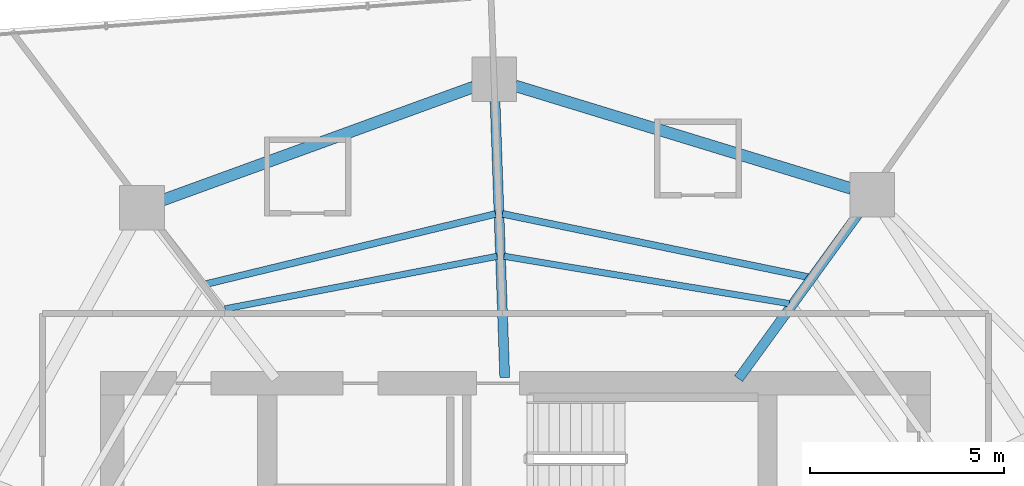
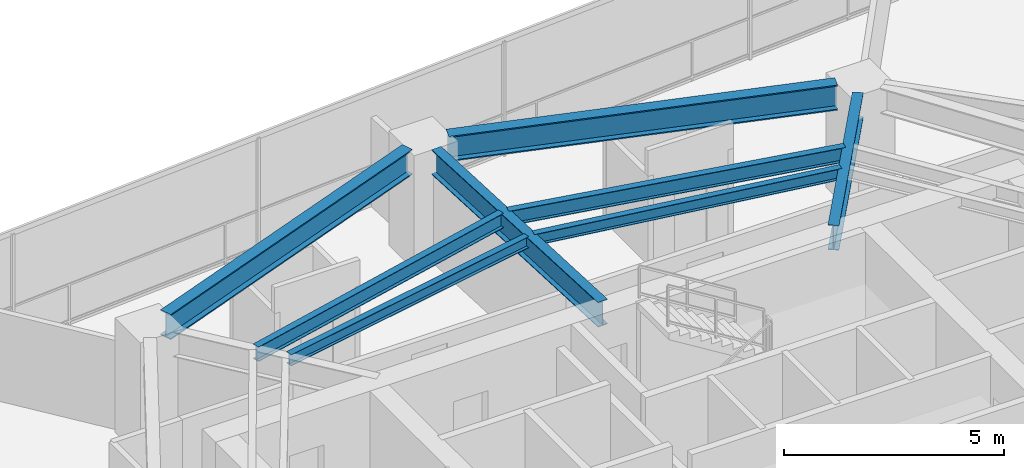
# One storey, part 18 of 30: 8 beams.
"""IFC4 building model written with IfcOpenShell, lengths in metres."""

from ifc_helpers import new_model, si_unit, direction, frame, origin, origin_2d, place, context, subcontext, project, spatial, i_section, extrude, material, material_profile, profile_set, type_object, element, save


model = new_model("IFC4")

# Units and contexts
model_context = context("Model", 3, precision=1e-05, world=origin(), true_north=direction((0.0, 1.0)))
body_context = subcontext(model_context, "Body", "Model", "MODEL_VIEW")
ifc_project = project(units=[si_unit("LENGTHUNIT", "METRE"), si_unit("AREAUNIT", "SQUARE_METRE"), si_unit("VOLUMEUNIT", "CUBIC_METRE"), si_unit("PLANEANGLEUNIT", "RADIAN"), si_unit("MASSUNIT", "GRAM", prefix="KILO")], contexts=[model_context])

# Site, building, storey
site_placement = place(None, origin())
site = spatial("IfcSite", under=ifc_project, at=site_placement, CompositionType="ELEMENT")
building_placement = place(site_placement, origin())
building = spatial("IfcBuilding", under=site, at=building_placement, Name="Qarnah Convention Tower", CompositionType="ELEMENT")
storey_placement = place(building_placement, frame((0.0, 0.0, 83.25)))
storey = spatial("IfcBuildingStorey", under=building, at=storey_placement, Name="L21", CompositionType="ELEMENT", Elevation=83.25)

# Beams
ifc_material = material(Name="Structural steel S355JR", Category="steel")
ifc_material_profile_1 = material_profile(ifc_material, i_section(OverallWidth=0.166015625, OverallDepth=0.31201171875, WebThickness=0.007080078125, FlangeThickness=0.010986328125, at=origin_2d()), Name="W310X45")
ifc_profile_set_1 = profile_set([ifc_material_profile_1], Name="Structural steel S355JR")
beam_type_1 = type_object("IfcBeamType", Name="BM-JST-W310", PredefinedType="JOIST", material=ifc_profile_set_1)
beam_1_placement = place(storey_placement, frame((44.260986328125, 36.257080078125, 3.013916015625), z_axis=(-0.986513960493, 0.163677138757, 0.0), x_axis=(-0.163677138757, -0.986513960493, 0.0)))
element("IfcBeam", 1, at=beam_1_placement, inside=storey, type_object=beam_type_1, Name="L21 joist BM-L21-IJST-02", PredefinedType="JOIST", context=body_context, shape_type="SweptSolid", body=[
    extrude(i_section(OverallWidth=0.166015625, OverallDepth=0.31201171875, WebThickness=0.007080078125, FlangeThickness=0.010986328125, at=origin_2d()), origin(), (0.0, 0.0, 1.0), 7.45947265625),
])
beam_2_placement = place(storey_placement, frame((36.72509765625, 37.47607421875, 3.013916015625), z_axis=(-0.981841874694, -0.189701167886, 0.0), x_axis=(0.189701167886, -0.981841874694, 0.0)))
element("IfcBeam", 2, at=beam_2_placement, inside=storey, type_object=beam_type_1, Name="L21 joist BM-L21-IJST-03", PredefinedType="JOIST", context=body_context, shape_type="SweptSolid", body=[
    extrude(i_section(OverallWidth=0.166015625, OverallDepth=0.31201171875, WebThickness=0.007080078125, FlangeThickness=0.010986328125, at=origin_2d()), origin(), (0.0, 0.0, 1.0), 7.14794921875),
])
ifc_material_profile_2 = material_profile(ifc_material, i_section(OverallWidth=0.177978515625, OverallDepth=0.407958984375, WebThickness=0.008056640625, FlangeThickness=0.012939453125, at=origin_2d()), Name="W410X60")
ifc_profile_set_2 = profile_set([ifc_material_profile_2], Name="Structural steel S355JR")
beam_type_2 = type_object("IfcBeamType", Name="BM-JST-W410", PredefinedType="JOIST", material=ifc_profile_set_2)
beam_3_placement = place(storey_placement, frame((44.757080078125, 36.93994140625, 2.966064453125), z_axis=(-0.979289211304, 0.202466393814, 0.0), x_axis=(-0.202466393814, -0.979289211304, 0.0)))
element("IfcBeam", 3, at=beam_3_placement, inside=storey, type_object=beam_type_2, Name="L21 joist BM-L21-SJST-02", PredefinedType="JOIST", context=body_context, shape_type="SweptSolid", body=[
    extrude(i_section(OverallWidth=0.177978515625, OverallDepth=0.407958984375, WebThickness=0.008056640625, FlangeThickness=0.012939453125, at=origin_2d()), origin(), (0.0, 0.0, 1.0), 8.06103515625),
])
beam_4_placement = place(storey_placement, frame((36.68798828125, 38.569091796875, 2.966064453125), z_axis=(-0.971933267781, -0.235256717183, 0.0), x_axis=(0.235256717183, -0.971933267781, 0.0)))
element("IfcBeam", 4, at=beam_4_placement, inside=storey, type_object=beam_type_2, Name="L21 joist BM-L21-SJST-03", PredefinedType="JOIST", context=body_context, shape_type="SweptSolid", body=[
    extrude(i_section(OverallWidth=0.177978515625, OverallDepth=0.407958984375, WebThickness=0.008056640625, FlangeThickness=0.012939453125, at=origin_2d()), origin(), (0.0, 0.0, 1.0), 7.694091796875),
])
ifc_material_profile_3 = material_profile(ifc_material, i_section(OverallWidth=0.25390625, OverallDepth=0.68798828125, WebThickness=0.012939453125, FlangeThickness=0.02099609375, at=origin_2d()), Name="W690X152")
ifc_profile_set_3 = profile_set([ifc_material_profile_3], Name="Structural steel S355JR")
beam_type_3 = type_object("IfcBeamType", Name="BM-RAD-W690", PredefinedType="BEAM", material=ifc_profile_set_3)
beam_5_placement = place(storey_placement, frame((42.955078125, 34.321044921875, 2.825927734375), z_axis=(0.587824069471, 0.808988790621, 0.0), x_axis=(-0.808988790621, 0.587824069471, 0.0)))
element("IfcBeam", 5, at=beam_5_placement, inside=storey, type_object=beam_type_3, Name="L21 beam BM-L21-RAD-02", PredefinedType="BEAM", context=body_context, shape_type="SweptSolid", body=[
    extrude(i_section(OverallWidth=0.25390625, OverallDepth=0.68798828125, WebThickness=0.012939453125, FlangeThickness=0.02099609375, at=origin_2d()), origin(), (0.0, 0.0, 1.0), 5.30419921875),
])
beam_6_placement = place(storey_placement, frame((36.923095703125, 34.35009765625, 2.825927734375), z_axis=(-0.035017005912, 0.99938671659, 0.0), x_axis=(-0.99938671659, -0.035017005912, 0.0)))
element("IfcBeam", 6, at=beam_6_placement, inside=storey, type_object=beam_type_3, Name="L21 beam BM-L21-RAD-03", PredefinedType="BEAM", context=body_context, shape_type="SweptSolid", body=[
    extrude(i_section(OverallWidth=0.25390625, OverallDepth=0.68798828125, WebThickness=0.012939453125, FlangeThickness=0.02099609375, at=origin_2d()), origin(), (0.0, 0.0, 1.0), 7.139404296875),
])
ifc_material_profile_4 = material_profile(ifc_material, i_section(OverallWidth=0.300048828125, OverallDepth=0.699951171875, WebThickness=0.01708984375, FlangeThickness=0.031982421875, at=origin_2d()), Name="HEB700")
ifc_profile_set_4 = profile_set([ifc_material_profile_4], Name="Structural steel S355JR")
beam_type_4 = type_object("IfcBeamType", Name="BM-RING-HEB700", PredefinedType="BEAM", material=ifc_profile_set_4)
beam_7_placement = place(storey_placement, frame((45.85888671875, 39.22607421875, 2.820068359375), z_axis=(-0.956309936148, 0.292354760565, 0.0), x_axis=(-0.292354760565, -0.956309936148, 0.0)))
element("IfcBeam", 7, at=beam_7_placement, inside=storey, type_object=beam_type_4, Name="L21 beam BM-L21-SPN-02", PredefinedType="BEAM", context=body_context, shape_type="SweptSolid", body=[
    extrude(i_section(OverallWidth=0.300048828125, OverallDepth=0.699951171875, WebThickness=0.01708984375, FlangeThickness=0.031982421875, at=origin_2d()), origin(), (0.0, 0.0, 1.0), 9.060546875),
])
beam_8_placement = place(storey_placement, frame((36.123046875, 41.846923828125, 2.820068359375), z_axis=(-0.939683226771, -0.342045952067, 0.0), x_axis=(0.342045952067, -0.939683226771, 0.0)))
element("IfcBeam", 8, at=beam_8_placement, inside=storey, type_object=beam_type_4, Name="L21 beam BM-L21-SPN-03", PredefinedType="BEAM", context=body_context, shape_type="SweptSolid", body=[
    extrude(i_section(OverallWidth=0.300048828125, OverallDepth=0.699951171875, WebThickness=0.01708984375, FlangeThickness=0.031982421875, at=origin_2d()), origin(), (0.0, 0.0, 1.0), 8.542236328125),
])

save(model, "model.ifc")
